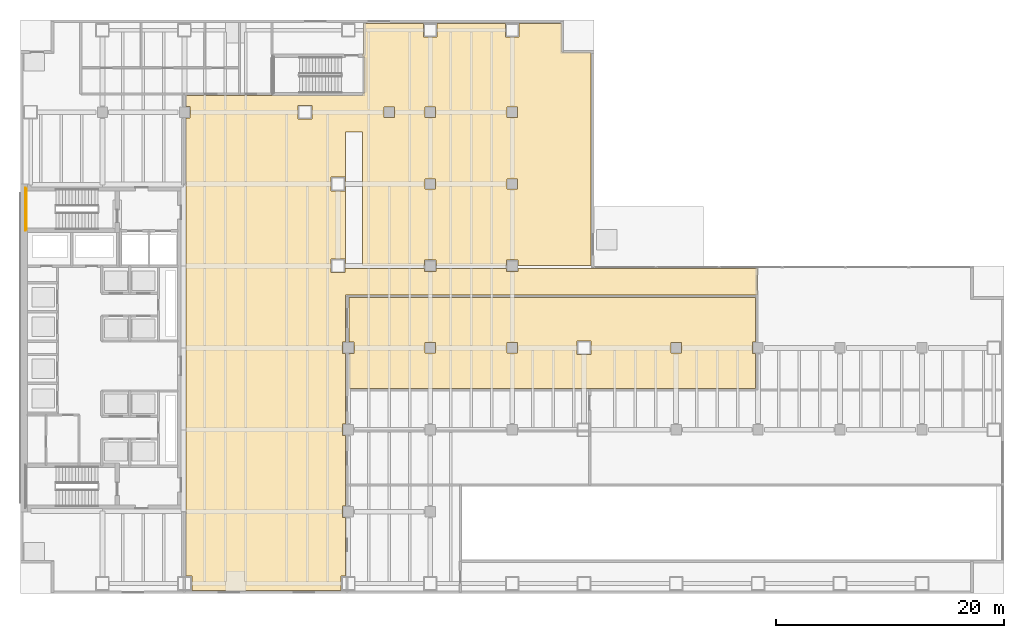
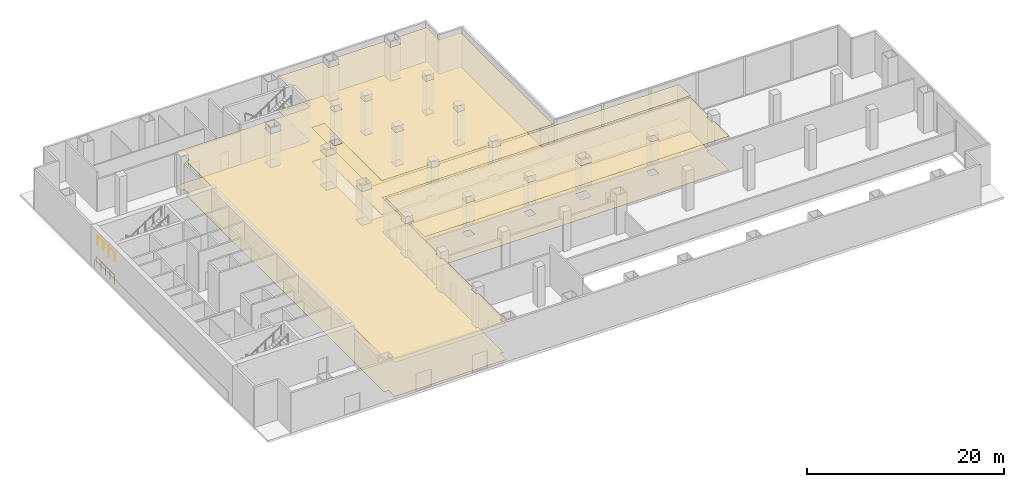
# One storey, part 15 of 17: 4 coverings, 2 railings.
"""IFC4 building model written with IfcOpenShell, lengths in metres."""

from ifc_helpers import new_model, si_unit, direction, frame, origin, origin_2d, place, context, subcontext, project, spatial, polyline, circle, outline, extrude, material, layer, layer_set, type_object, element, save


model = new_model("IFC4")

# Units and contexts
model_context = context("Model", 3, precision=1e-05, world=origin(), true_north=direction((0.0, 1.0)))
body_context = subcontext(model_context, "Body", "Model", "MODEL_VIEW")
ifc_project = project(units=[si_unit("LENGTHUNIT", "METRE"), si_unit("AREAUNIT", "SQUARE_METRE"), si_unit("VOLUMEUNIT", "CUBIC_METRE"), si_unit("PLANEANGLEUNIT", "RADIAN"), si_unit("MASSUNIT", "GRAM", prefix="KILO")], contexts=[model_context])

# Site, building, storey
site_placement = place(None, origin())
site = spatial("IfcSite", under=ifc_project, at=site_placement, CompositionType="ELEMENT")
building_placement = place(site_placement, origin())
building = spatial("IfcBuilding", under=site, at=building_placement, Name="Cobrela Telecom Tower", CompositionType="ELEMENT")
storey_placement = place(building_placement, origin())
storey = spatial("IfcBuildingStorey", under=building, at=storey_placement, Name="L00", CompositionType="ELEMENT", Elevation=0.0)

# Coverings
ifc_material_1 = material(Name="Mineral Fibre Acoustic Ceiling Tile")
ifc_layer_1 = layer(ifc_material_1, 0.02490234375)
ifc_layer_set_1 = layer_set([ifc_layer_1], Name="Mineral Fibre Acoustic Ceiling Tile")
covering_type_1 = type_object("IfcCoveringType", Name="COV-CEIL-ACT", PredefinedType="CEILING", material=ifc_layer_set_1)
covering_1_placement = place(storey_placement, frame((0.0, 0.0, 4.22998046875)))
element("IfcCovering", 1, at=covering_1_placement, inside=storey, type_object=covering_type_1, Name="L00 Public Street Concourse Suspended Acoustic Ceiling", PredefinedType="CEILING", context=body_context, shape_type="SweptSolid", body=[
    extrude(outline(polyline([(14.89990234375, 42.800048828125), (14.5400390625, 42.800048828125), (14.5400390625, 43.760009765625), (30.0400390625, 43.760009765625), (30.0400390625, 43.949951171875), (30.155029296875, 43.949951171875), (30.160400390625, 43.951171875), (30.16552734375, 43.9521484375), (30.169921875, 43.9541015625), (30.172607421875, 43.955322265625), (30.1787109375, 43.958740234375), (30.181396484375, 43.961181640625), (30.185791015625, 43.96435546875), (30.18896484375, 43.96875), (30.19140625, 43.971435546875), (30.194580078125, 43.977294921875), (30.19580078125, 43.97998046875), (30.19775390625, 43.984619140625), (30.198974609375, 43.98974609375), (30.199951171875, 43.9951171875), (30.199951171875, 47.155029296875), (30.198974609375, 47.160400390625), (30.19775390625, 47.16552734375), (30.19580078125, 47.169921875), (30.194580078125, 47.172607421875), (30.19140625, 47.1787109375), (30.18896484375, 47.181396484375), (30.185791015625, 47.185791015625), (30.181396484375, 47.18896484375), (30.1787109375, 47.19140625), (30.172607421875, 47.194580078125), (30.169921875, 47.19580078125), (30.16552734375, 47.19775390625), (30.160400390625, 47.198974609375), (30.155029296875, 47.199951171875), (30.0400390625, 47.199951171875), (30.0400390625, 47.39990234375), (30.10498046875, 47.39990234375), (30.1103515625, 47.401123046875), (30.115478515625, 47.402099609375), (30.1201171875, 47.404296875), (30.12255859375, 47.405517578125), (30.128662109375, 47.40869140625), (30.13134765625, 47.4111328125), (30.1357421875, 47.414306640625), (30.138916015625, 47.418701171875), (30.141357421875, 47.42138671875), (30.14453125, 47.427490234375), (30.145751953125, 47.429931640625), (30.147705078125, 47.4345703125), (30.14892578125, 47.439697265625), (30.14990234375, 47.445068359375), (30.14990234375, 50.110107421875), (47.56005859375, 50.110107421875), (47.56005859375, 47.698974609375), (47.560546875, 47.686279296875), (47.5625, 47.672607421875), (47.56591796875, 47.659423828125), (47.570556640625, 47.646484375), (47.576416015625, 47.634033203125), (47.58349609375, 47.6220703125), (47.591796875, 47.611083984375), (47.60107421875, 47.60107421875), (47.611083984375, 47.591796875), (47.6220703125, 47.58349609375), (47.634033203125, 47.576416015625), (47.646484375, 47.570556640625), (47.659423828125, 47.56591796875), (47.672607421875, 47.5625), (47.686279296875, 47.560546875), (47.698974609375, 47.56005859375), (50.110107421875, 47.56005859375), (50.110107421875, 28.840087890625), (43.699951171875, 28.840087890625), (43.699951171875, 29.300048828125), (42.699951171875, 29.300048828125), (42.699951171875, 28.840087890625), (36.5, 28.840087890625), (36.5, 29.300048828125), (35.5, 29.300048828125), (35.5, 28.840087890625), (30.0400390625, 28.840087890625), (30.0400390625, 40.5400390625), (28.56005859375, 40.5400390625), (28.56005859375, 28.56005859375), (35.5, 28.56005859375), (35.5, 28.300048828125), (36.5, 28.300048828125), (36.5, 28.56005859375), (42.699951171875, 28.56005859375), (42.699951171875, 28.300048828125), (43.699951171875, 28.300048828125), (43.699951171875, 28.56005859375), (64.760009765625, 28.56005859375), (64.760009765625, 26.239990234375), (28.56005859375, 26.239990234375), (28.56005859375, 22.10009765625), (28.300048828125, 22.10009765625), (28.300048828125, 21.10009765625), (28.56005859375, 21.10009765625), (28.56005859375, 14.89990234375), (28.300048828125, 14.89990234375), (28.300048828125, 13.89990234375), (28.56005859375, 13.89990234375), (28.56005859375, 7.699951171875), (28.300048828125, 7.699951171875), (28.300048828125, 6.699951171875), (28.56005859375, 6.699951171875), (28.56005859375, 1.550048828125), (28.14990234375, 1.550048828125), (28.14990234375, 0.2900390625), (15.050048828125, 0.2900390625), (15.050048828125, 1.550048828125), (14.5400390625, 1.550048828125), (14.5400390625, 41.800048828125), (14.89990234375, 41.800048828125), (14.89990234375, 42.800048828125)]), holes=[polyline([(28.5, 28.199951171875), (28.5, 29.39990234375), (27.300048828125, 29.39990234375), (27.300048828125, 28.199951171875), (28.5, 28.199951171875)]), polyline([(27.300048828125, 35.39990234375), (28.5, 35.39990234375), (28.5, 36.60009765625), (27.300048828125, 36.60009765625), (27.300048828125, 35.39990234375)]), polyline([(24.39990234375, 41.699951171875), (25.60009765625, 41.699951171875), (25.60009765625, 42.89990234375), (24.39990234375, 42.89990234375), (24.39990234375, 41.699951171875)]), polyline([(32.85009765625, 41.85009765625), (32.85009765625, 42.75), (31.949951171875, 42.75), (31.949951171875, 41.85009765625), (32.85009765625, 41.85009765625)]), polyline([(35.550048828125, 35.550048828125), (36.449951171875, 35.550048828125), (36.449951171875, 36.449951171875), (35.550048828125, 36.449951171875), (35.550048828125, 35.550048828125)]), polyline([(43.64990234375, 35.550048828125), (43.64990234375, 36.449951171875), (42.75, 36.449951171875), (42.75, 35.550048828125), (43.64990234375, 35.550048828125)]), polyline([(35.550048828125, 41.85009765625), (36.449951171875, 41.85009765625), (36.449951171875, 42.75), (35.550048828125, 42.75), (35.550048828125, 41.85009765625)]), polyline([(42.75, 41.85009765625), (43.64990234375, 41.85009765625), (43.64990234375, 42.75), (42.75, 42.75), (42.75, 41.85009765625)]), polyline([(36.60009765625, 48.89990234375), (36.60009765625, 50.10009765625), (35.39990234375, 50.10009765625), (35.39990234375, 48.89990234375), (36.60009765625, 48.89990234375)]), polyline([(42.60009765625, 48.89990234375), (43.800048828125, 48.89990234375), (43.800048828125, 50.10009765625), (42.60009765625, 50.10009765625), (42.60009765625, 48.89990234375)])]), origin(), (0.0, 0.0, 1.0), 0.02490234375),
])
covering_2_placement = place(storey_placement, frame((0.0, 0.0, 4.22998046875)))
element("IfcCovering", 2, at=covering_2_placement, inside=storey, type_object=covering_type_1, Name="L00 Concourse Retail Cafe Suspended Acoustic Ceiling", PredefinedType="CEILING", context=body_context, shape_type="SweptSolid", body=[
    extrude(outline(polyline([(29.300048828125, 22.10009765625), (28.840087890625, 22.10009765625), (28.840087890625, 26.010009765625), (64.56005859375, 26.010009765625), (64.56005859375, 22.10009765625), (64.300048828125, 22.10009765625), (64.300048828125, 21.10009765625), (64.56005859375, 21.10009765625), (64.56005859375, 18.0400390625), (28.840087890625, 18.0400390625), (28.840087890625, 21.10009765625), (29.300048828125, 21.10009765625), (29.300048828125, 22.10009765625)]), holes=[polyline([(35.550048828125, 21.14990234375), (36.449951171875, 21.14990234375), (36.449951171875, 22.050048828125), (35.550048828125, 22.050048828125), (35.550048828125, 21.14990234375)]), polyline([(42.75, 21.14990234375), (43.64990234375, 21.14990234375), (43.64990234375, 22.050048828125), (42.75, 22.050048828125), (42.75, 21.14990234375)]), polyline([(50.10009765625, 21.0), (50.10009765625, 22.199951171875), (48.89990234375, 22.199951171875), (48.89990234375, 21.0), (50.10009765625, 21.0)]), polyline([(57.14990234375, 21.14990234375), (58.050048828125, 21.14990234375), (58.050048828125, 22.050048828125), (57.14990234375, 22.050048828125), (57.14990234375, 21.14990234375)])]), origin(), (0.0, 0.0, 1.0), 0.02490234375),
])
ifc_material_2 = material(Name="Honed Colombian Basalt Stone", Category="masonry")
ifc_layer_2 = layer(ifc_material_2, 0.0400390625)
ifc_layer_set_2 = layer_set([ifc_layer_2], Name="Honed Colombian Basalt Stone")
covering_type_2 = type_object("IfcCoveringType", Name="COV-FLR-STONE", PredefinedType="FLOORING", material=ifc_layer_set_2)
covering_3_placement = place(storey_placement, origin())
element("IfcCovering", 3, at=covering_3_placement, inside=storey, type_object=covering_type_2, Name="L00 Public Street Concourse Raised Technical Flooring", PredefinedType="FLOORING", context=body_context, shape_type="SweptSolid", body=[
    extrude(outline(polyline([(14.89990234375, 42.800048828125), (14.5400390625, 42.800048828125), (14.5400390625, 43.760009765625), (30.0400390625, 43.760009765625), (30.0400390625, 43.949951171875), (30.155029296875, 43.949951171875), (30.160400390625, 43.951171875), (30.16552734375, 43.9521484375), (30.169921875, 43.9541015625), (30.172607421875, 43.955322265625), (30.1787109375, 43.958740234375), (30.181396484375, 43.961181640625), (30.185791015625, 43.96435546875), (30.18896484375, 43.96875), (30.19140625, 43.971435546875), (30.194580078125, 43.977294921875), (30.19580078125, 43.97998046875), (30.19775390625, 43.984619140625), (30.198974609375, 43.98974609375), (30.199951171875, 43.9951171875), (30.199951171875, 47.155029296875), (30.198974609375, 47.160400390625), (30.19775390625, 47.16552734375), (30.19580078125, 47.169921875), (30.194580078125, 47.172607421875), (30.19140625, 47.1787109375), (30.18896484375, 47.181396484375), (30.185791015625, 47.185791015625), (30.181396484375, 47.18896484375), (30.1787109375, 47.19140625), (30.172607421875, 47.194580078125), (30.169921875, 47.19580078125), (30.16552734375, 47.19775390625), (30.160400390625, 47.198974609375), (30.155029296875, 47.199951171875), (30.0400390625, 47.199951171875), (30.0400390625, 47.39990234375), (30.10498046875, 47.39990234375), (30.1103515625, 47.401123046875), (30.115478515625, 47.402099609375), (30.1201171875, 47.404296875), (30.12255859375, 47.405517578125), (30.128662109375, 47.40869140625), (30.13134765625, 47.4111328125), (30.1357421875, 47.414306640625), (30.138916015625, 47.418701171875), (30.141357421875, 47.42138671875), (30.14453125, 47.427490234375), (30.145751953125, 47.429931640625), (30.147705078125, 47.4345703125), (30.14892578125, 47.439697265625), (30.14990234375, 47.445068359375), (30.14990234375, 50.110107421875), (47.56005859375, 50.110107421875), (47.56005859375, 47.698974609375), (47.560546875, 47.686279296875), (47.5625, 47.672607421875), (47.56591796875, 47.659423828125), (47.570556640625, 47.646484375), (47.576416015625, 47.634033203125), (47.58349609375, 47.6220703125), (47.591796875, 47.611083984375), (47.60107421875, 47.60107421875), (47.611083984375, 47.591796875), (47.6220703125, 47.58349609375), (47.634033203125, 47.576416015625), (47.646484375, 47.570556640625), (47.659423828125, 47.56591796875), (47.672607421875, 47.5625), (47.686279296875, 47.560546875), (47.698974609375, 47.56005859375), (50.110107421875, 47.56005859375), (50.110107421875, 28.840087890625), (43.699951171875, 28.840087890625), (43.699951171875, 29.300048828125), (42.699951171875, 29.300048828125), (42.699951171875, 28.840087890625), (36.5, 28.840087890625), (36.5, 29.300048828125), (35.5, 29.300048828125), (35.5, 28.840087890625), (30.0400390625, 28.840087890625), (30.0400390625, 40.5400390625), (28.56005859375, 40.5400390625), (28.56005859375, 28.56005859375), (35.5, 28.56005859375), (35.5, 28.300048828125), (36.5, 28.300048828125), (36.5, 28.56005859375), (42.699951171875, 28.56005859375), (42.699951171875, 28.300048828125), (43.699951171875, 28.300048828125), (43.699951171875, 28.56005859375), (64.760009765625, 28.56005859375), (64.760009765625, 26.239990234375), (28.56005859375, 26.239990234375), (28.56005859375, 22.10009765625), (28.300048828125, 22.10009765625), (28.300048828125, 21.10009765625), (28.56005859375, 21.10009765625), (28.56005859375, 14.89990234375), (28.300048828125, 14.89990234375), (28.300048828125, 13.89990234375), (28.56005859375, 13.89990234375), (28.56005859375, 7.699951171875), (28.300048828125, 7.699951171875), (28.300048828125, 6.699951171875), (28.56005859375, 6.699951171875), (28.56005859375, 1.550048828125), (28.14990234375, 1.550048828125), (28.14990234375, 0.2900390625), (15.050048828125, 0.2900390625), (15.050048828125, 1.550048828125), (14.5400390625, 1.550048828125), (14.5400390625, 41.800048828125), (14.89990234375, 41.800048828125), (14.89990234375, 42.800048828125)]), holes=[polyline([(28.5, 28.199951171875), (28.5, 29.39990234375), (27.300048828125, 29.39990234375), (27.300048828125, 28.199951171875), (28.5, 28.199951171875)]), polyline([(27.300048828125, 35.39990234375), (28.5, 35.39990234375), (28.5, 36.60009765625), (27.300048828125, 36.60009765625), (27.300048828125, 35.39990234375)]), polyline([(24.39990234375, 41.699951171875), (25.60009765625, 41.699951171875), (25.60009765625, 42.89990234375), (24.39990234375, 42.89990234375), (24.39990234375, 41.699951171875)]), polyline([(32.85009765625, 41.85009765625), (32.85009765625, 42.75), (31.949951171875, 42.75), (31.949951171875, 41.85009765625), (32.85009765625, 41.85009765625)]), polyline([(35.550048828125, 35.550048828125), (36.449951171875, 35.550048828125), (36.449951171875, 36.449951171875), (35.550048828125, 36.449951171875), (35.550048828125, 35.550048828125)]), polyline([(43.64990234375, 35.550048828125), (43.64990234375, 36.449951171875), (42.75, 36.449951171875), (42.75, 35.550048828125), (43.64990234375, 35.550048828125)]), polyline([(35.550048828125, 41.85009765625), (36.449951171875, 41.85009765625), (36.449951171875, 42.75), (35.550048828125, 42.75), (35.550048828125, 41.85009765625)]), polyline([(42.75, 41.85009765625), (43.64990234375, 41.85009765625), (43.64990234375, 42.75), (42.75, 42.75), (42.75, 41.85009765625)]), polyline([(36.60009765625, 48.89990234375), (36.60009765625, 50.10009765625), (35.39990234375, 50.10009765625), (35.39990234375, 48.89990234375), (36.60009765625, 48.89990234375)]), polyline([(42.60009765625, 48.89990234375), (43.800048828125, 48.89990234375), (43.800048828125, 50.10009765625), (42.60009765625, 50.10009765625), (42.60009765625, 48.89990234375)])]), origin(), (0.0, 0.0, 1.0), 0.0400390625),
])
covering_4_placement = place(storey_placement, origin())
element("IfcCovering", 4, at=covering_4_placement, inside=storey, type_object=covering_type_2, Name="L00 Concourse Retail Cafe Raised Technical Flooring", PredefinedType="FLOORING", context=body_context, shape_type="SweptSolid", body=[
    extrude(outline(polyline([(29.300048828125, 22.10009765625), (28.840087890625, 22.10009765625), (28.840087890625, 26.010009765625), (64.56005859375, 26.010009765625), (64.56005859375, 22.10009765625), (64.300048828125, 22.10009765625), (64.300048828125, 21.10009765625), (64.56005859375, 21.10009765625), (64.56005859375, 18.0400390625), (28.840087890625, 18.0400390625), (28.840087890625, 21.10009765625), (29.300048828125, 21.10009765625), (29.300048828125, 22.10009765625)]), holes=[polyline([(35.550048828125, 21.14990234375), (36.449951171875, 21.14990234375), (36.449951171875, 22.050048828125), (35.550048828125, 22.050048828125), (35.550048828125, 21.14990234375)]), polyline([(42.75, 21.14990234375), (43.64990234375, 21.14990234375), (43.64990234375, 22.050048828125), (42.75, 22.050048828125), (42.75, 21.14990234375)]), polyline([(50.10009765625, 21.0), (50.10009765625, 22.199951171875), (48.89990234375, 22.199951171875), (48.89990234375, 21.0), (50.10009765625, 21.0)]), polyline([(57.14990234375, 21.14990234375), (58.050048828125, 21.14990234375), (58.050048828125, 22.050048828125), (57.14990234375, 22.050048828125), (57.14990234375, 21.14990234375)])]), origin(), (0.0, 0.0, 1.0), 0.0400390625),
])

# Railings
ifc_material_3 = material(Name="Steel ASTM A36", Category="steel")
railing_type = type_object("IfcRailingType", Name="RAIL-GUARD-1100", PredefinedType="GUARDRAIL", material=ifc_material_3)
railing_1_placement = place(storey_placement, frame((0.530029296875, 35.550048828125, 2.625)))
element("IfcRailing", 5, at=railing_1_placement, inside=storey, type_object=railing_type, Name="L00 ST1 stair guard 3", PredefinedType="GUARDRAIL", context=body_context, shape_type="SweptSolid", body=[
    extrude(circle(Radius=0.02392578125, at=origin_2d()), frame((0.0, 0.0, 1.076171875), z_axis=(0.0, -1.0, 0.0), x_axis=(1.0, 0.0, 0.0)), (0.0, 0.0, 1.0), 3.550048828125),
    extrude(circle(Radius=0.02099609375, at=origin_2d()), origin(), (0.0, 0.0, 1.0), 1.052001953125),
    extrude(circle(Radius=0.02099609375, at=origin_2d()), frame((0.0, -1.183349609375, 0.0)), (0.0, 0.0, 1.0), 1.052001953125),
    extrude(circle(Radius=0.02099609375, at=origin_2d()), frame((0.0, -2.36669921875, 0.0)), (0.0, 0.0, 1.0), 1.052001953125),
    extrude(circle(Radius=0.02099609375, at=origin_2d()), frame((0.0, -3.550048828125, 0.0)), (0.0, 0.0, 1.0), 1.052001953125),
])
railing_2_placement = place(storey_placement, frame((0.429931640625, 35.64990234375, 0.0)))
element("IfcRailing", 6, at=railing_2_placement, inside=storey, type_object=railing_type, Name="L00 ST1 stair guard 6", PredefinedType="GUARDRAIL", context=body_context, shape_type="SweptSolid", body=[
    extrude(circle(Radius=0.02392578125, at=origin_2d()), frame((0.0, 0.0, 1.076171875), z_axis=(0.0, -1.0, 0.0), x_axis=(1.0, 0.0, 0.0)), (0.0, 0.0, 1.0), 3.75),
    extrude(circle(Radius=0.02099609375, at=origin_2d()), origin(), (0.0, 0.0, 1.0), 1.052001953125),
    extrude(circle(Radius=0.02099609375, at=origin_2d()), frame((0.0, -0.9375, 0.0)), (0.0, 0.0, 1.0), 1.052001953125),
    extrude(circle(Radius=0.02099609375, at=origin_2d()), frame((0.0, -1.875, 0.0)), (0.0, 0.0, 1.0), 1.052001953125),
    extrude(circle(Radius=0.02099609375, at=origin_2d()), frame((0.0, -2.8125, 0.0)), (0.0, 0.0, 1.0), 1.052001953125),
    extrude(circle(Radius=0.02099609375, at=origin_2d()), frame((0.0, -3.75, 0.0)), (0.0, 0.0, 1.0), 1.052001953125),
])

save(model, "model.ifc")
